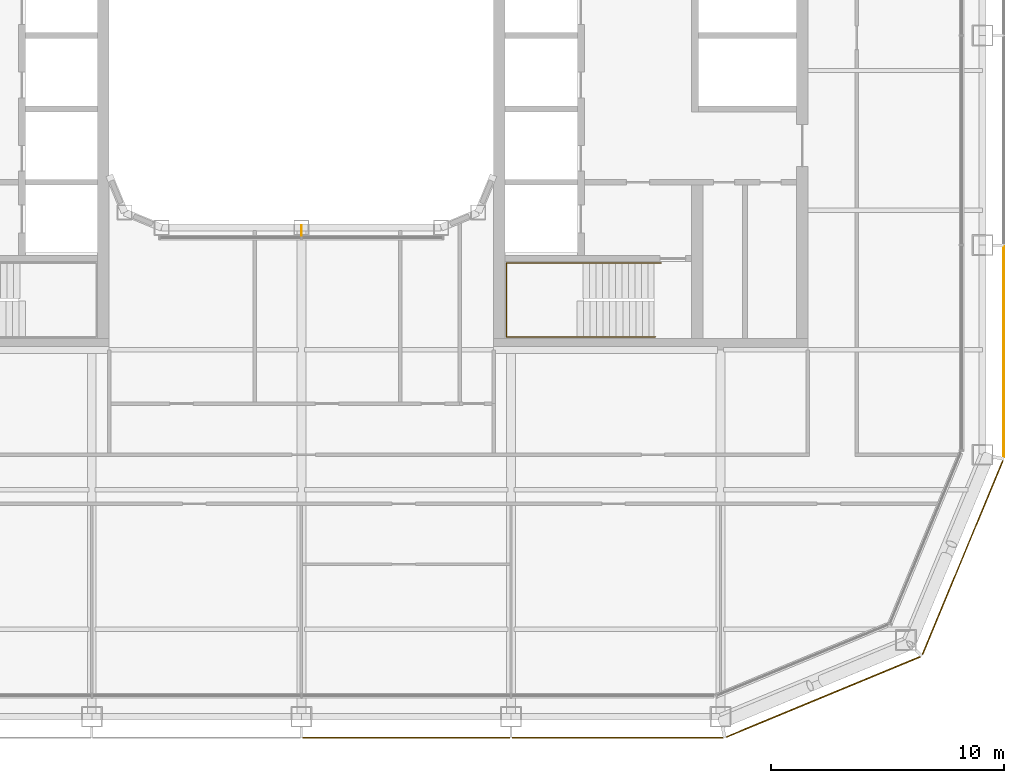
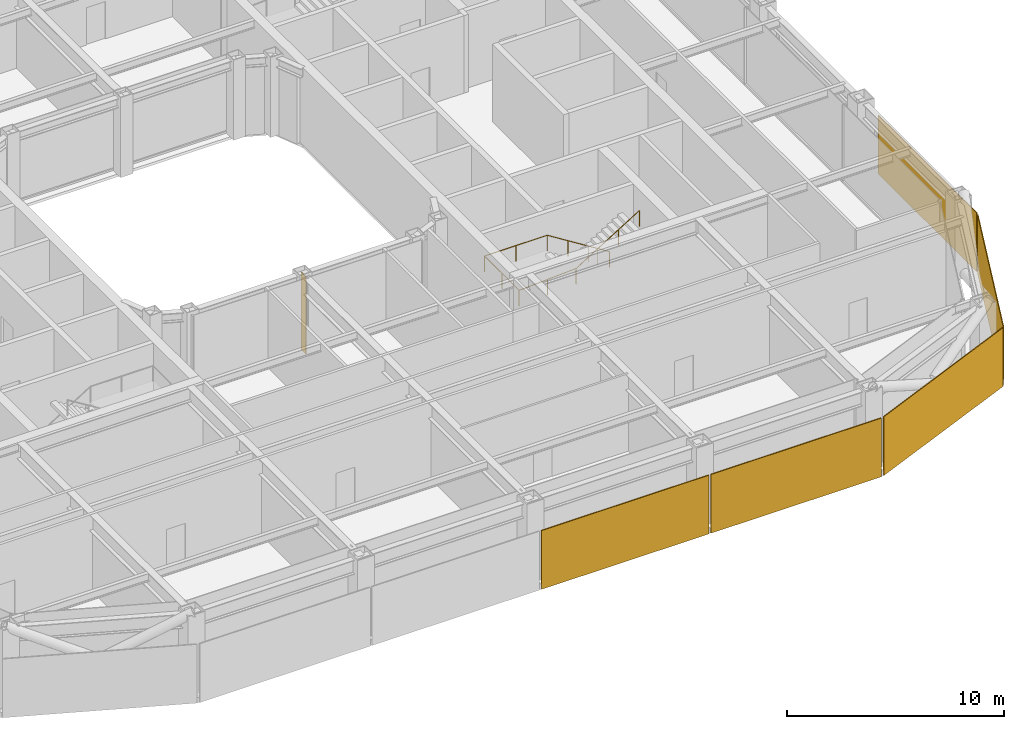
# One storey, part 18 of 21: 5 coverings, 1 railing, 1 shading device.
"""IFC4 building model written with IfcOpenShell, lengths in metres."""

from ifc_helpers import new_model, si_unit, direction, frame, origin, origin_2d, place, context, subcontext, project, spatial, rectangle, circle, extrude, material, layer, layer_set, type_object, element, save


model = new_model("IFC4")

# Units and contexts
model_context = context("Model", 3, precision=1e-05, world=origin(), true_north=direction((0.0, 1.0)))
body_context = subcontext(model_context, "Body", "Model", "MODEL_VIEW")
ifc_project = project(units=[si_unit("LENGTHUNIT", "METRE"), si_unit("AREAUNIT", "SQUARE_METRE"), si_unit("VOLUMEUNIT", "CUBIC_METRE"), si_unit("PLANEANGLEUNIT", "RADIAN"), si_unit("MASSUNIT", "GRAM", prefix="KILO")], contexts=[model_context])

# Site, building, storey
site_placement = place(None, origin())
site = spatial("IfcSite", under=ifc_project, at=site_placement, CompositionType="ELEMENT")
building_placement = place(site_placement, origin())
building = spatial("IfcBuilding", under=site, at=building_placement, Name="Siwar Civic Tower", CompositionType="ELEMENT")
storey_placement = place(building_placement, frame((0.0, 0.0, 158.699951171875)))
storey = spatial("IfcBuildingStorey", under=building, at=storey_placement, Name="L34", CompositionType="ELEMENT", Elevation=158.699951171875)

# Railing
ifc_material_1 = material(Name="Stainless steel", Category="steel")
railing_type = type_object("IfcRailingType", Name="CORE-STAIR-HANDRAIL", PredefinedType="HANDRAIL", material=ifc_material_1)
railing_placement = place(storey_placement, frame((15.449951171875, -9.758056640625, 0.173095703125)))
element("IfcRailing", 1, at=railing_placement, inside=storey, type_object=railing_type, Name="Stair handrail ST4", PredefinedType="HANDRAIL", context=body_context, shape_type="SweptSolid", body=[
    extrude(circle(Radius=0.02001953125, at=origin_2d()), frame((0.0, 0.0, 0.8798828125), z_axis=(-0.847063342986, 0.0, 0.531491950051), x_axis=(0.0, -1.0, 0.0)), (0.0, 0.0, 1.0), 3.90771484375),
    extrude(circle(Radius=0.02001953125, at=origin_2d()), frame((-3.31005859375, 0.0, 2.956787109375), z_axis=(-1.0, 0.0, 0.0), x_axis=(0.0, -1.0, 0.0)), (0.0, 0.0, 1.0), 3.331787109375),
    extrude(circle(Radius=0.02001953125, at=origin_2d()), frame((-6.641845703125, 0.0, 2.956787109375), z_axis=(0.0, -1.0, 0.0), x_axis=(1.0, 0.0, 0.0)), (0.0, 0.0, 1.0), 3.183837890625),
    extrude(circle(Radius=0.02001953125, at=origin_2d()), frame((-6.641845703125, -3.183837890625, 2.956787109375), z_axis=(0.99837434197, 0.0, 0.056997134106), x_axis=(0.0, 1.0, 0.0)), (0.0, 0.0, 1.0), 3.036865234375),
    extrude(circle(Radius=0.02001953125, at=origin_2d()), frame((-3.60986328125, -3.183837890625, 3.1298828125), z_axis=(0.850606129759, 0.0, 0.525803396734), x_axis=(0.0, 1.0, 0.0)), (0.0, 0.0, 1.0), 3.949951171875),
    extrude(circle(Radius=0.02001953125, at=origin_2d()), origin(), (0.0, 0.0, 1.0), 0.85986328125),
    extrude(circle(Radius=0.02001953125, at=origin_2d()), frame((-1.103271484375, 0.0, 0.6923828125)), (0.0, 0.0, 1.0), 0.85986328125),
    extrude(circle(Radius=0.02001953125, at=origin_2d()), frame((-2.206787109375, 0.0, 1.384521484375)), (0.0, 0.0, 1.0), 0.85986328125),
    extrude(circle(Radius=0.02001953125, at=origin_2d()), frame((-3.31005859375, 0.0, 2.076904296875)), (0.0, 0.0, 1.0), 0.85986328125),
    extrude(circle(Radius=0.02001953125, at=origin_2d()), frame((-4.97607421875, 0.0, 2.076904296875)), (0.0, 0.0, 1.0), 0.85986328125),
    extrude(circle(Radius=0.02001953125, at=origin_2d()), frame((-6.641845703125, 0.0, 2.076904296875)), (0.0, 0.0, 1.0), 0.85986328125),
    extrude(circle(Radius=0.02001953125, at=origin_2d()), frame((-6.641845703125, -1.591796875, 2.076904296875)), (0.0, 0.0, 1.0), 0.85986328125),
    extrude(circle(Radius=0.02001953125, at=origin_2d()), frame((-6.641845703125, -3.183837890625, 2.076904296875)), (0.0, 0.0, 1.0), 0.85986328125),
    extrude(circle(Radius=0.02001953125, at=origin_2d()), frame((-5.1259765625, -3.183837890625, 2.16357421875)), (0.0, 0.0, 1.0), 0.85986328125),
    extrude(circle(Radius=0.02001953125, at=origin_2d()), frame((-3.60986328125, -3.183837890625, 2.25)), (0.0, 0.0, 1.0), 0.85986328125),
    extrude(circle(Radius=0.02001953125, at=origin_2d()), frame((-2.489990234375, -3.183837890625, 2.9423828125)), (0.0, 0.0, 1.0), 0.85986328125),
    extrude(circle(Radius=0.02001953125, at=origin_2d()), frame((-1.369873046875, -3.183837890625, 3.634521484375)), (0.0, 0.0, 1.0), 0.85986328125),
    extrude(circle(Radius=0.02001953125, at=origin_2d()), frame((-0.25, -3.183837890625, 4.326904296875)), (0.0, 0.0, 1.0), 0.85986328125),
])

# Shading device
ifc_material_2 = material(Name="Aluminium 6063-T6", Category="aluminium")
ifc_layer_1 = layer(ifc_material_2, 0.02001953125)
ifc_layer_set_1 = layer_set([ifc_layer_1], Name="Aluminium 6063-T6")
shading_device_type = type_object("IfcShadingDeviceType", Name="ENV-FIN", PredefinedType="JALOUSIE", material=ifc_layer_set_1)
shading_device_placement = place(storey_placement, frame((0.0, -8.3701171875, 0.0), z_axis=(0.0, 0.0, 1.0), x_axis=(1.0, 0.0, 0.0)))
element("IfcShadingDevice", 2, at=shading_device_placement, inside=storey, type_object=shading_device_type, Name="SUNSHADE fin WS 1", PredefinedType="JALOUSIE", context=body_context, shape_type="SweptSolid", body=[
    extrude(rectangle(XDim=0.02001953125, YDim=0.449951171875, at=origin_2d()), origin(), (0.0, 0.0, 1.0), 4.35009765625),
])

# Coverings
ifc_material_3 = material(Name="Perforated aluminium cassette, pale metal", Category="aluminium")
ifc_layer_2 = layer(ifc_material_3, 0.0400390625)
ifc_layer_set_2 = layer_set([ifc_layer_2], Name="Perforated aluminium cassette, pale metal")
covering_type_1 = type_object("IfcCoveringType", Name="ENV-OUTER SKIN OS-1", PredefinedType="CLADDING", material=ifc_layer_set_2)
covering_1_placement = place(storey_placement, frame((30.14990234375, -13.57958984375, -0.14990234375), z_axis=(0.0, 0.0, 1.0), x_axis=(0.0, 1.0, 0.0)))
element("IfcCovering", 3, at=covering_1_placement, inside=storey, type_object=covering_type_1, Name="OUTER SKIN OS-1 E 1", PredefinedType="CLADDING", context=body_context, shape_type="SweptSolid", body=[
    extrude(rectangle(XDim=9.05908203125, YDim=0.0400390625, at=origin_2d()), origin(), (0.0, 0.0, 1.0), 3.300048828125),
])
ifc_material_4 = material(Name="Perforated aluminium cassette, pale metal", Category="aluminium")
ifc_layer_3 = layer(ifc_material_4, 0.044921875)
ifc_layer_set_3 = layer_set([ifc_layer_3], Name="Perforated aluminium cassette, pale metal")
covering_type_2 = type_object("IfcCoveringType", Name="ENV-OUTER SKIN OS-2", PredefinedType="CLADDING", material=ifc_layer_set_3)
covering_2_placement = place(storey_placement, frame((28.39697265625, -22.411376953125, -0.14990234375), z_axis=(0.0, 0.0, 1.0), x_axis=(0.382683432365, 0.923879532511, 0.0)))
element("IfcCovering", 4, at=covering_2_placement, inside=storey, type_object=covering_type_2, Name="OUTER SKIN OS-2 SE2 1", PredefinedType="CLADDING", context=body_context, shape_type="SweptSolid", body=[
    extrude(rectangle(XDim=9.022216796875, YDim=0.044921875, at=origin_2d()), origin(), (0.0, 0.0, 1.0), 3.300048828125),
])
ifc_material_5 = material(Name="Perforated aluminium cassette, pale metal", Category="aluminium")
ifc_layer_4 = layer(ifc_material_5, 0.050048828125)
ifc_layer_set_4 = layer_set([ifc_layer_4], Name="Perforated aluminium cassette, pale metal")
covering_type_3 = type_object("IfcCoveringType", Name="ENV-OUTER SKIN OS-3", PredefinedType="CLADDING", material=ifc_layer_set_4)
covering_3_placement = place(storey_placement, frame((22.411376953125, -28.39697265625, -0.14990234375), z_axis=(0.0, 0.0, 1.0), x_axis=(0.923879532511, 0.382683432365, 0.0)))
element("IfcCovering", 5, at=covering_3_placement, inside=storey, type_object=covering_type_3, Name="OUTER SKIN OS-3 SE1 1", PredefinedType="CLADDING", context=body_context, shape_type="SweptSolid", body=[
    extrude(rectangle(XDim=9.022216796875, YDim=0.050048828125, at=origin_2d()), origin(), (0.0, 0.0, 1.0), 3.300048828125),
])
ifc_material_6 = material(Name="Perforated aluminium cassette, pale metal", Category="aluminium")
ifc_layer_5 = layer(ifc_material_6, 0.054931640625)
ifc_layer_set_5 = layer_set([ifc_layer_5], Name="Perforated aluminium cassette, pale metal")
covering_type_4 = type_object("IfcCoveringType", Name="ENV-OUTER SKIN OS-4", PredefinedType="CLADDING", material=ifc_layer_set_5)
covering_4_placement = place(storey_placement, frame((4.5, -30.14990234375, -0.14990234375), z_axis=(0.0, 0.0, 1.0), x_axis=(1.0, 0.0, 0.0)))
element("IfcCovering", 6, at=covering_4_placement, inside=storey, type_object=covering_type_4, Name="OUTER SKIN OS-4 S 3", PredefinedType="CLADDING", context=body_context, shape_type="SweptSolid", body=[
    extrude(rectangle(XDim=8.89990234375, YDim=0.054931640625, at=origin_2d()), origin(), (0.0, 0.0, 1.0), 3.300048828125),
])
covering_5_placement = place(storey_placement, frame((13.57958984375, -30.14990234375, -0.14990234375), z_axis=(0.0, 0.0, 1.0), x_axis=(1.0, 0.0, 0.0)))
element("IfcCovering", 7, at=covering_5_placement, inside=storey, type_object=covering_type_4, Name="OUTER SKIN OS-4 S 4", PredefinedType="CLADDING", context=body_context, shape_type="SweptSolid", body=[
    extrude(rectangle(XDim=9.05908203125, YDim=0.054931640625, at=origin_2d()), origin(), (0.0, 0.0, 1.0), 3.300048828125),
])

save(model, "model.ifc")
